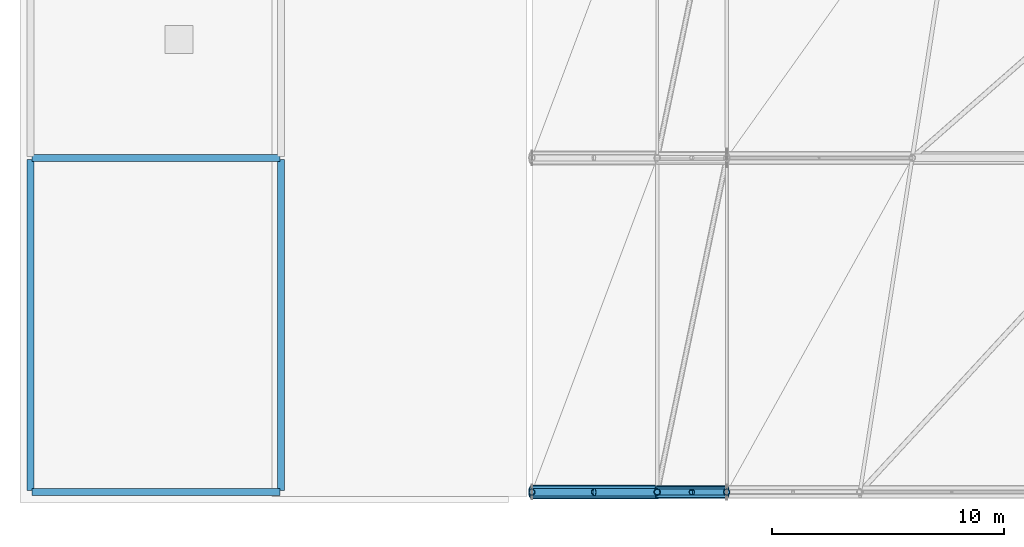
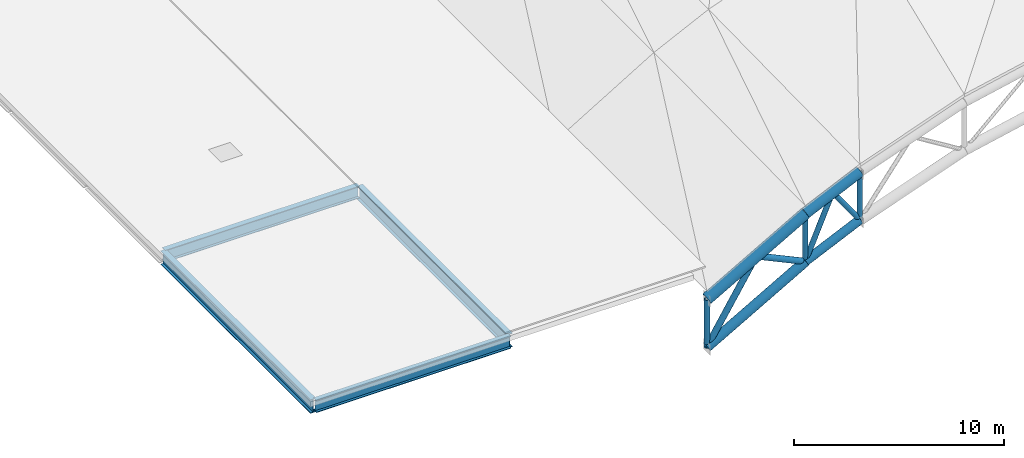
# One storey, part 1 of 36: 11 members, 4 beams.
"""IFC4 building model written with IfcOpenShell, lengths in metres."""

from ifc_helpers import new_model, si_unit, direction, frame, origin, origin_2d, place, context, subcontext, project, spatial, hollow_circle, i_section, extrude, material, material_profile, profile_set, type_object, element, save


model = new_model("IFC4")

# Units and contexts
model_context = context("Model", 3, precision=1e-05, world=origin(), true_north=direction((0.0, 1.0)))
body_context = subcontext(model_context, "Body", "Model", "MODEL_VIEW")
ifc_project = project(units=[si_unit("LENGTHUNIT", "METRE"), si_unit("AREAUNIT", "SQUARE_METRE"), si_unit("VOLUMEUNIT", "CUBIC_METRE"), si_unit("PLANEANGLEUNIT", "RADIAN"), si_unit("MASSUNIT", "GRAM", prefix="KILO")], contexts=[model_context])

# Site, building, storey
site_placement = place(None, origin())
site = spatial("IfcSite", under=ifc_project, at=site_placement, CompositionType="ELEMENT")
building_placement = place(site_placement, origin())
building = spatial("IfcBuilding", under=site, at=building_placement, Name="Koshinbarg Plaza Stadium", CompositionType="ELEMENT")
storey_placement = place(building_placement, frame((0.0, 0.0, 34.199951171875)))
storey = spatial("IfcBuildingStorey", under=building, at=storey_placement, Name="RF", CompositionType="ELEMENT", Elevation=34.199951171875)

# Beams
ifc_material = material(Name="Steel S355", Category="steel")
ifc_material_profile_1 = material_profile(ifc_material, i_section(OverallWidth=0.300048828125, OverallDepth=0.699951171875, WebThickness=0.01708984375, FlangeThickness=0.031982421875, at=origin_2d()), Name="HEB 700")
ifc_profile_set_1 = profile_set([ifc_material_profile_1], Name="Steel S355")
beam_type_1 = type_object("IfcBeamType", Name="BM-SGIR-03", PredefinedType="USERDEFINED", material=ifc_profile_set_1)
for number, where, z_axis, x_axis, name in (
    (1, (24.659912109375, 25.5, -0.64990234375), (1.0, 0.0, 0.0), (0.0, 1.0, 0.0), "RF roof girder E/5-6"),
    (2, (24.659912109375, 39.89990234375, -0.64990234375), (1.0, 0.0, 0.0), (0.0, 1.0, 0.0), "RF roof girder F/5-6"),
):
    element("IfcBeam", number, at=place(storey_placement, frame(where, z_axis=z_axis, x_axis=x_axis)), inside=storey, type_object=beam_type_1, Name=name, ObjectType="GIRDER", PredefinedType="USERDEFINED", context=body_context, shape_type="SweptSolid", body=[
        extrude(i_section(OverallWidth=0.300048828125, OverallDepth=0.699951171875, WebThickness=0.01708984375, FlangeThickness=0.031982421875, at=origin_2d()), origin(), (0.0, 0.0, 1.0), 10.68017578125),
    ])
ifc_material_profile_2 = material_profile(ifc_material, i_section(OverallWidth=0.300048828125, OverallDepth=0.800048828125, WebThickness=0.017578125, FlangeThickness=0.032958984375, at=origin_2d()), Name="HEB 800")
ifc_profile_set_2 = profile_set([ifc_material_profile_2], Name="Steel S355")
beam_type_2 = type_object("IfcBeamType", Name="BM-SGIR-04", PredefinedType="USERDEFINED", material=ifc_profile_set_2)
for number, where, z_axis, x_axis, name in (
    (3, (24.60009765625, 25.56005859375, -0.699951171875), (0.0, 1.0, 0.0), (-1.0, 0.0, 0.0), "RF roof girder 5/E-F"),
    (4, (35.39990234375, 25.56005859375, -0.699951171875), (0.0, 1.0, 0.0), (-1.0, 0.0, 0.0), "RF roof girder 6/E-F"),
):
    element("IfcBeam", number, at=place(storey_placement, frame(where, z_axis=z_axis, x_axis=x_axis)), inside=storey, type_object=beam_type_2, Name=name, ObjectType="GIRDER", PredefinedType="USERDEFINED", context=body_context, shape_type="SweptSolid", body=[
        extrude(i_section(OverallWidth=0.300048828125, OverallDepth=0.800048828125, WebThickness=0.017578125, FlangeThickness=0.032958984375, at=origin_2d()), origin(), (0.0, 0.0, 1.0), 14.280029296875),
    ])

# Members
ifc_material_profile_3 = material_profile(ifc_material, hollow_circle(Radius=0.161865234375, WallThickness=0.01416015625, at=origin_2d()), Name="CHS 323.9x14.2")
ifc_profile_set_3 = profile_set([ifc_material_profile_3], Name="Steel S355")
member_type_1 = type_object("IfcMemberType", Name="MB-BRACE-01", PredefinedType="BRACE", material=ifc_profile_set_3)
member_1_placement = place(storey_placement, frame((46.199951171875, 25.5, -4.800048828125), z_axis=(0.528524662436, 0.0, 0.84891794727), x_axis=(0.0, 1.0, 0.0)))
element("IfcMember", 5, at=member_1_placement, inside=storey, type_object=member_type_1, Name="Quarter-barrel roof truss web diagonal WRB-01-1A", PredefinedType="BRACE", context=body_context, shape_type="SweptSolid", body=[
    extrude(hollow_circle(Radius=0.161865234375, WallThickness=0.01416015625, at=origin_2d()), origin(), (0.0, 0.0, 1.0), 5.1083984375),
])
member_2_placement = place(storey_placement, frame((48.89990234375, 25.5, -0.46337890625), z_axis=(0.905785208446, 0.0, -0.423737130967), x_axis=(0.0, 1.0, 0.0)))
element("IfcMember", 6, at=member_2_placement, inside=storey, type_object=member_type_1, Name="Quarter-barrel roof truss web diagonal WRB-01-1B", PredefinedType="BRACE", context=body_context, shape_type="SweptSolid", body=[
    extrude(hollow_circle(Radius=0.161865234375, WallThickness=0.01416015625, at=origin_2d()), origin(), (0.0, 0.0, 1.0), 2.98095703125),
])
ifc_material_profile_4 = material_profile(ifc_material, hollow_circle(Radius=0.136474609375, WallThickness=0.012451171875, at=origin_2d()), Name="CHS 273x12.5")
ifc_profile_set_4 = profile_set([ifc_material_profile_4], Name="Steel S355")
member_type_2 = type_object("IfcMemberType", Name="MB-BRACE-02", PredefinedType="BRACE", material=ifc_profile_set_4)
member_3_placement = place(storey_placement, frame((51.60009765625, 25.5, -1.7265625), z_axis=(0.395199828763, 0.0, 0.918595174898), x_axis=(0.0, 1.0, 0.0)))
element("IfcMember", 7, at=member_3_placement, inside=storey, type_object=member_type_2, Name="Quarter-barrel roof truss web diagonal WRB-01-2A", PredefinedType="BRACE", context=body_context, shape_type="SweptSolid", body=[
    extrude(hollow_circle(Radius=0.136474609375, WallThickness=0.012451171875, at=origin_2d()), origin(), (0.0, 0.0, 1.0), 3.795654296875),
])
member_4_placement = place(storey_placement, frame((53.10009765625, 25.5, 1.760009765625), z_axis=(0.578811678148, 0.0, -0.815461244474), x_axis=(0.0, 1.0, 0.0)))
element("IfcMember", 8, at=member_4_placement, inside=storey, type_object=member_type_2, Name="Quarter-barrel roof truss web diagonal WRB-01-2B", PredefinedType="BRACE", context=body_context, shape_type="SweptSolid", body=[
    extrude(hollow_circle(Radius=0.136474609375, WallThickness=0.012451171875, at=origin_2d()), origin(), (0.0, 0.0, 1.0), 2.591552734375),
])
member_5_placement = place(storey_placement, frame((46.199951171875, 25.5, -4.800048828125), z_axis=(0.0, 0.0, 1.0), x_axis=(1.0, 0.0, 0.0)))
element("IfcMember", 9, at=member_5_placement, inside=storey, type_object=member_type_2, Name="Quarter-barrel roof truss post WRB-01-1", PredefinedType="BRACE", context=body_context, shape_type="SweptSolid", body=[
    extrude(hollow_circle(Radius=0.136474609375, WallThickness=0.012451171875, at=origin_2d()), origin(), (0.0, 0.0, 1.0), 2.800048828125),
])
for number, where, z_axis, x_axis, name in (
    (10, (51.60009765625, 25.5, -1.7265625), (0.0, 0.0, 1.0), (1.0, 0.0, 0.0), "Quarter-barrel roof truss post WRB-01-2"),
    (11, (54.60009765625, 25.5, -0.353271484375), (0.0, 0.0, 1.0), (1.0, 0.0, 0.0), "Quarter-barrel roof truss post WRB-01-3"),
):
    element("IfcMember", number, at=place(storey_placement, frame(where, z_axis=z_axis, x_axis=x_axis)), inside=storey, type_object=member_type_2, Name=name, PredefinedType="BRACE", context=body_context, shape_type="SweptSolid", body=[
        extrude(hollow_circle(Radius=0.136474609375, WallThickness=0.012451171875, at=origin_2d()), origin(), (0.0, 0.0, 1.0), 2.7998046875),
    ])
ifc_material_profile_5 = material_profile(ifc_material, hollow_circle(Radius=0.304931640625, WallThickness=0.02490234375, at=origin_2d()), Name="CHS 610x25")
ifc_profile_set_5 = profile_set([ifc_material_profile_5], Name="Steel S355")
member_type_3 = type_object("IfcMemberType", Name="MB-CHORD-01", PredefinedType="CHORD", material=ifc_profile_set_5)
member_6_placement = place(storey_placement, frame((46.199951171875, 25.5, -2.0), z_axis=(0.869112287244, 0.0, 0.494614832128), x_axis=(0.0, 1.0, 0.0)))
element("IfcMember", 12, at=member_6_placement, inside=storey, type_object=member_type_3, Name="Quarter-barrel roof truss top chord WRB-01-1", PredefinedType="CHORD", context=body_context, shape_type="SweptSolid", body=[
    extrude(hollow_circle(Radius=0.304931640625, WallThickness=0.02490234375, at=origin_2d()), origin(), (0.0, 0.0, 1.0), 6.21337890625),
])
ifc_material_profile_6 = material_profile(ifc_material, hollow_circle(Radius=0.279541015625, WallThickness=0.022216796875, at=origin_2d()), Name="CHS 559x22.2")
ifc_profile_set_6 = profile_set([ifc_material_profile_6], Name="Steel S355")
member_type_4 = type_object("IfcMemberType", Name="MB-CHORD-02", PredefinedType="CHORD", material=ifc_profile_set_6)
member_7_placement = place(storey_placement, frame((51.60009765625, 25.5, 1.0732421875), z_axis=(0.909260911954, 0.0, 0.416226613748), x_axis=(0.0, 1.0, 0.0)))
element("IfcMember", 13, at=member_7_placement, inside=storey, type_object=member_type_4, Name="Quarter-barrel roof truss top chord WRB-01-2", PredefinedType="CHORD", context=body_context, shape_type="SweptSolid", body=[
    extrude(hollow_circle(Radius=0.279541015625, WallThickness=0.022216796875, at=origin_2d()), origin(), (0.0, 0.0, 1.0), 3.29931640625),
])
ifc_material_profile_7 = material_profile(ifc_material, hollow_circle(Radius=0.25390625, WallThickness=0.02001953125, at=origin_2d()), Name="CHS 508x20")
ifc_profile_set_7 = profile_set([ifc_material_profile_7], Name="Steel S355")
member_type_5 = type_object("IfcMemberType", Name="MB-CHORD-03", PredefinedType="CHORD", material=ifc_profile_set_7)
member_8_placement = place(storey_placement, frame((46.199951171875, 25.5, -4.800048828125), z_axis=(0.869095396141, 0.0, 0.494644511145), x_axis=(0.0, 1.0, 0.0)))
element("IfcMember", 14, at=member_8_placement, inside=storey, type_object=member_type_5, Name="Quarter-barrel roof truss bottom chord WRB-01-1", PredefinedType="CHORD", context=body_context, shape_type="SweptSolid", body=[
    extrude(hollow_circle(Radius=0.25390625, WallThickness=0.02001953125, at=origin_2d()), origin(), (0.0, 0.0, 1.0), 6.213623046875),
])
ifc_material_profile_8 = material_profile(ifc_material, hollow_circle(Radius=0.228515625, WallThickness=0.02001953125, at=origin_2d()), Name="CHS 457x20")
ifc_profile_set_8 = profile_set([ifc_material_profile_8], Name="Steel S355")
member_type_6 = type_object("IfcMemberType", Name="MB-CHORD-04", PredefinedType="CHORD", material=ifc_profile_set_8)
member_9_placement = place(storey_placement, frame((51.60009765625, 25.5, -1.7265625), z_axis=(0.909260911954, 0.0, 0.416226613748), x_axis=(0.0, 1.0, 0.0)))
element("IfcMember", 15, at=member_9_placement, inside=storey, type_object=member_type_6, Name="Quarter-barrel roof truss bottom chord WRB-01-2", PredefinedType="CHORD", context=body_context, shape_type="SweptSolid", body=[
    extrude(hollow_circle(Radius=0.228515625, WallThickness=0.02001953125, at=origin_2d()), origin(), (0.0, 0.0, 1.0), 3.29931640625),
])

save(model, "model.ifc")
